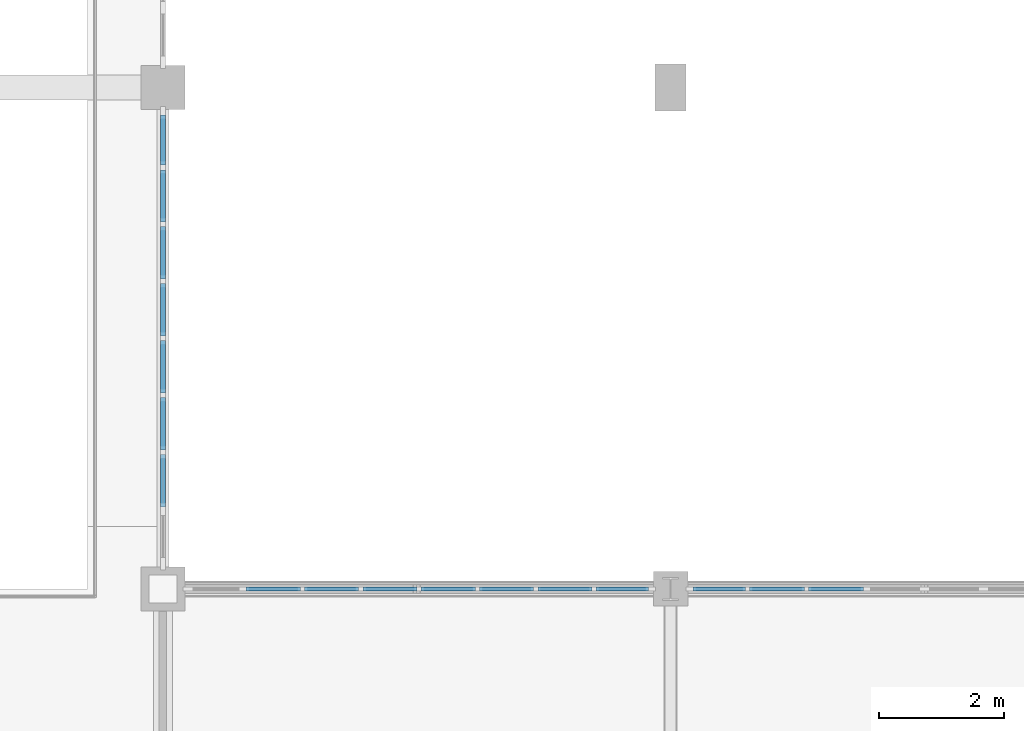
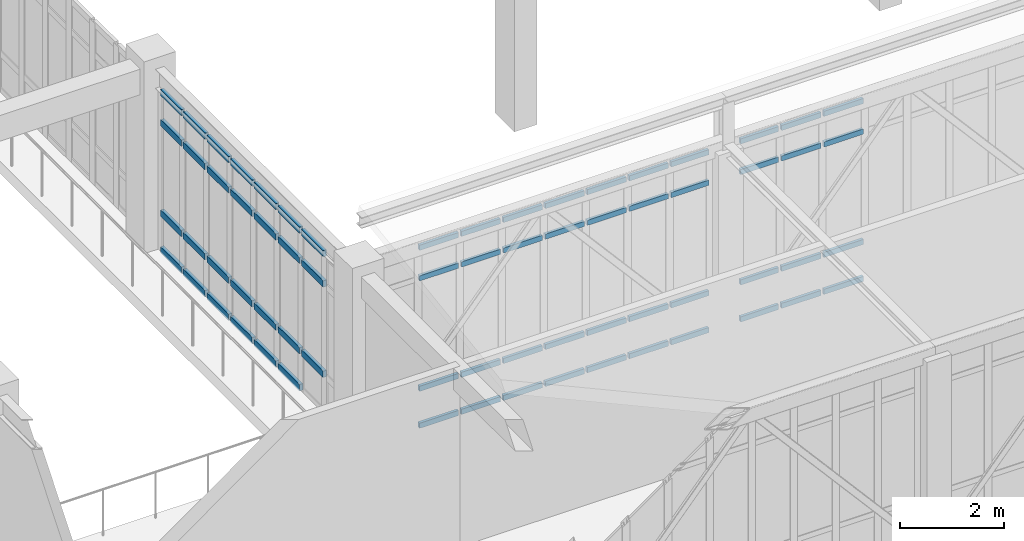
# One storey, part 25 of 67: 67 members, 3 elements without a shape of their own.
"""IFC4 building model written with IfcOpenShell, lengths in metres."""

from ifc_helpers import new_model, si_unit, direction, frame, origin, origin_2d, place, context, subcontext, project, spatial, rectangle, extrude, material, material_profile, profile_set, type_object, element, aggregate, save


model = new_model("IFC4")

# Units and contexts
model_context = context("Model", 3, precision=1e-05, world=origin(), true_north=direction((0.0, 1.0)))
body_context = subcontext(model_context, "Body", "Model", "MODEL_VIEW")
ifc_project = project(units=[si_unit("LENGTHUNIT", "METRE"), si_unit("AREAUNIT", "SQUARE_METRE"), si_unit("VOLUMEUNIT", "CUBIC_METRE"), si_unit("PLANEANGLEUNIT", "RADIAN"), si_unit("MASSUNIT", "GRAM", prefix="KILO")], contexts=[model_context])

# Site, building, storey
site_placement = place(None, origin())
site = spatial("IfcSite", under=ifc_project, at=site_placement, CompositionType="ELEMENT")
building_placement = place(site_placement, origin())
building = spatial("IfcBuilding", under=site, at=building_placement, Name="Tarnveldt Square Police Headquarters", CompositionType="ELEMENT")
storey_placement = place(building_placement, frame((0.0, 0.0, 10.199951171875)))
storey = spatial("IfcBuildingStorey", under=building, at=storey_placement, Name="L02", CompositionType="ELEMENT", Elevation=10.199951171875)

# Curtain wall, members
ifc_material_1 = material(Name="Triple-glazed low-e laminated vision glass", Category="glass")
curtain_wall_type_1 = type_object("IfcCurtainWallType", Name="CW-SB-744x424", PredefinedType="USERDEFINED", material=ifc_material_1)
curtain_wall_1_placement = place(storey_placement, origin())
curtain_wall_1 = element("IfcCurtainWall", 1, at=curtain_wall_1_placement, inside=storey, type_object=curtain_wall_type_1, Name="L02 Curtain Wall CW-L02-145", ObjectType="GLAZED CURTAIN WALL", PredefinedType="USERDEFINED")
ifc_material_2 = material(Name="Thermally broken anodised aluminium 6063-T6", Category="aluminium")
ifc_material_profile_1 = material_profile(ifc_material_2, rectangle(XDim=0.06494140625, YDim=0.1201171875, at=origin_2d()), Name="CW-T65x120")
ifc_profile_set_1 = profile_set([ifc_material_profile_1], Name="Thermally broken anodised aluminium 6063-T6")
member_type_1 = type_object("IfcMemberType", Name="CWT-65x120", PredefinedType="USERDEFINED", material=ifc_profile_set_1)
member_1_placement = place(storey_placement, frame((49.92822265625, 64.0, 0.032470703125), z_axis=(1.0, 0.0, 0.0), x_axis=(0.0, 1.0, 0.0)))
member_1 = element("IfcMember", 2, at=member_1_placement, type_object=member_type_1, Name="CW-SB85 transom 2.1", ObjectType="TRANSOM", PredefinedType="USERDEFINED", context=body_context, shape_type="SweptSolid", body=[
    extrude(rectangle(XDim=0.06494140625, YDim=0.1201171875, at=origin_2d()), origin(), (0.0, 0.0, 1.0), 0.865478515625),
])
member_2_placement = place(storey_placement, frame((49.92822265625, 64.0, 0.900146484375), z_axis=(1.0, 0.0, 0.0), x_axis=(0.0, 1.0, 0.0)))
member_2 = element("IfcMember", 3, at=member_2_placement, type_object=member_type_1, Name="CW-SB85 transom 2.2", ObjectType="TRANSOM", PredefinedType="USERDEFINED", context=body_context, shape_type="SweptSolid", body=[
    extrude(rectangle(XDim=0.06494140625, YDim=0.1201171875, at=origin_2d()), origin(), (0.0, 0.0, 1.0), 0.865478515625),
])
member_3_placement = place(storey_placement, frame((49.92822265625, 64.0, 3.489990234375), z_axis=(1.0, 0.0, 0.0), x_axis=(0.0, 1.0, 0.0)))
member_3 = element("IfcMember", 4, at=member_3_placement, type_object=member_type_1, Name="CW-SB85 transom 2.3", ObjectType="TRANSOM", PredefinedType="USERDEFINED", context=body_context, shape_type="SweptSolid", body=[
    extrude(rectangle(XDim=0.06494140625, YDim=0.1201171875, at=origin_2d()), origin(), (0.0, 0.0, 1.0), 0.865478515625),
])
member_4_placement = place(storey_placement, frame((49.92822265625, 64.0, 4.20751953125), z_axis=(1.0, 0.0, 0.0), x_axis=(0.0, 1.0, 0.0)))
member_4 = element("IfcMember", 5, at=member_4_placement, type_object=member_type_1, Name="CW-SB85 transom 2.4", ObjectType="TRANSOM", PredefinedType="USERDEFINED", context=body_context, shape_type="SweptSolid", body=[
    extrude(rectangle(XDim=0.06494140625, YDim=0.1201171875, at=origin_2d()), origin(), (0.0, 0.0, 1.0), 0.865478515625),
])
member_5_placement = place(storey_placement, frame((50.858642578125, 64.0, 0.032470703125), z_axis=(1.0, 0.0, 0.0), x_axis=(0.0, 1.0, 0.0)))
member_5 = element("IfcMember", 6, at=member_5_placement, type_object=member_type_1, Name="CW-SB85 transom 3.1", ObjectType="TRANSOM", PredefinedType="USERDEFINED", context=body_context, shape_type="SweptSolid", body=[
    extrude(rectangle(XDim=0.06494140625, YDim=0.1201171875, at=origin_2d()), origin(), (0.0, 0.0, 1.0), 0.86572265625),
])
member_6_placement = place(storey_placement, frame((50.858642578125, 64.0, 0.900146484375), z_axis=(1.0, 0.0, 0.0), x_axis=(0.0, 1.0, 0.0)))
member_6 = element("IfcMember", 7, at=member_6_placement, type_object=member_type_1, Name="CW-SB85 transom 3.2", ObjectType="TRANSOM", PredefinedType="USERDEFINED", context=body_context, shape_type="SweptSolid", body=[
    extrude(rectangle(XDim=0.06494140625, YDim=0.1201171875, at=origin_2d()), origin(), (0.0, 0.0, 1.0), 0.86572265625),
])
member_7_placement = place(storey_placement, frame((50.858642578125, 64.0, 3.489990234375), z_axis=(1.0, 0.0, 0.0), x_axis=(0.0, 1.0, 0.0)))
member_7 = element("IfcMember", 8, at=member_7_placement, type_object=member_type_1, Name="CW-SB85 transom 3.3", ObjectType="TRANSOM", PredefinedType="USERDEFINED", context=body_context, shape_type="SweptSolid", body=[
    extrude(rectangle(XDim=0.06494140625, YDim=0.1201171875, at=origin_2d()), origin(), (0.0, 0.0, 1.0), 0.86572265625),
])
member_8_placement = place(storey_placement, frame((50.858642578125, 64.0, 4.20751953125), z_axis=(1.0, 0.0, 0.0), x_axis=(0.0, 1.0, 0.0)))
member_8 = element("IfcMember", 9, at=member_8_placement, type_object=member_type_1, Name="CW-SB85 transom 3.4", ObjectType="TRANSOM", PredefinedType="USERDEFINED", context=body_context, shape_type="SweptSolid", body=[
    extrude(rectangle(XDim=0.06494140625, YDim=0.1201171875, at=origin_2d()), origin(), (0.0, 0.0, 1.0), 0.86572265625),
])
member_9_placement = place(storey_placement, frame((51.789306640625, 64.0, 0.032470703125), z_axis=(1.0, 0.0, 0.0), x_axis=(0.0, 1.0, 0.0)))
member_9 = element("IfcMember", 10, at=member_9_placement, type_object=member_type_1, Name="CW-SB85 transom 4.1", ObjectType="TRANSOM", PredefinedType="USERDEFINED", context=body_context, shape_type="SweptSolid", body=[
    extrude(rectangle(XDim=0.06494140625, YDim=0.1201171875, at=origin_2d()), origin(), (0.0, 0.0, 1.0), 0.86572265625),
])
member_10_placement = place(storey_placement, frame((51.789306640625, 64.0, 0.900146484375), z_axis=(1.0, 0.0, 0.0), x_axis=(0.0, 1.0, 0.0)))
member_10 = element("IfcMember", 11, at=member_10_placement, type_object=member_type_1, Name="CW-SB85 transom 4.2", ObjectType="TRANSOM", PredefinedType="USERDEFINED", context=body_context, shape_type="SweptSolid", body=[
    extrude(rectangle(XDim=0.06494140625, YDim=0.1201171875, at=origin_2d()), origin(), (0.0, 0.0, 1.0), 0.86572265625),
])
member_11_placement = place(storey_placement, frame((51.789306640625, 64.0, 3.489990234375), z_axis=(1.0, 0.0, 0.0), x_axis=(0.0, 1.0, 0.0)))
member_11 = element("IfcMember", 12, at=member_11_placement, type_object=member_type_1, Name="CW-SB85 transom 4.3", ObjectType="TRANSOM", PredefinedType="USERDEFINED", context=body_context, shape_type="SweptSolid", body=[
    extrude(rectangle(XDim=0.06494140625, YDim=0.1201171875, at=origin_2d()), origin(), (0.0, 0.0, 1.0), 0.86572265625),
])
member_12_placement = place(storey_placement, frame((51.789306640625, 64.0, 4.20751953125), z_axis=(1.0, 0.0, 0.0), x_axis=(0.0, 1.0, 0.0)))
member_12 = element("IfcMember", 13, at=member_12_placement, type_object=member_type_1, Name="CW-SB85 transom 4.4", ObjectType="TRANSOM", PredefinedType="USERDEFINED", context=body_context, shape_type="SweptSolid", body=[
    extrude(rectangle(XDim=0.06494140625, YDim=0.1201171875, at=origin_2d()), origin(), (0.0, 0.0, 1.0), 0.86572265625),
])
member_13_placement = place(storey_placement, frame((52.719970703125, 64.0, 0.032470703125), z_axis=(1.0, 0.0, 0.0), x_axis=(0.0, 1.0, 0.0)))
member_13 = element("IfcMember", 14, at=member_13_placement, type_object=member_type_1, Name="CW-SB85 transom 5.1", ObjectType="TRANSOM", PredefinedType="USERDEFINED", context=body_context, shape_type="SweptSolid", body=[
    extrude(rectangle(XDim=0.06494140625, YDim=0.1201171875, at=origin_2d()), origin(), (0.0, 0.0, 1.0), 0.86572265625),
])
member_14_placement = place(storey_placement, frame((52.719970703125, 64.0, 0.900146484375), z_axis=(1.0, 0.0, 0.0), x_axis=(0.0, 1.0, 0.0)))
member_14 = element("IfcMember", 15, at=member_14_placement, type_object=member_type_1, Name="CW-SB85 transom 5.2", ObjectType="TRANSOM", PredefinedType="USERDEFINED", context=body_context, shape_type="SweptSolid", body=[
    extrude(rectangle(XDim=0.06494140625, YDim=0.1201171875, at=origin_2d()), origin(), (0.0, 0.0, 1.0), 0.86572265625),
])
member_15_placement = place(storey_placement, frame((52.719970703125, 64.0, 3.489990234375), z_axis=(1.0, 0.0, 0.0), x_axis=(0.0, 1.0, 0.0)))
member_15 = element("IfcMember", 16, at=member_15_placement, type_object=member_type_1, Name="CW-SB85 transom 5.3", ObjectType="TRANSOM", PredefinedType="USERDEFINED", context=body_context, shape_type="SweptSolid", body=[
    extrude(rectangle(XDim=0.06494140625, YDim=0.1201171875, at=origin_2d()), origin(), (0.0, 0.0, 1.0), 0.86572265625),
])
member_16_placement = place(storey_placement, frame((52.719970703125, 64.0, 4.20751953125), z_axis=(1.0, 0.0, 0.0), x_axis=(0.0, 1.0, 0.0)))
member_16 = element("IfcMember", 17, at=member_16_placement, type_object=member_type_1, Name="CW-SB85 transom 5.4", ObjectType="TRANSOM", PredefinedType="USERDEFINED", context=body_context, shape_type="SweptSolid", body=[
    extrude(rectangle(XDim=0.06494140625, YDim=0.1201171875, at=origin_2d()), origin(), (0.0, 0.0, 1.0), 0.86572265625),
])
member_17_placement = place(storey_placement, frame((53.650634765625, 64.0, 0.032470703125), z_axis=(1.0, 0.0, 0.0), x_axis=(0.0, 1.0, 0.0)))
member_17 = element("IfcMember", 18, at=member_17_placement, type_object=member_type_1, Name="CW-SB85 transom 6.1", ObjectType="TRANSOM", PredefinedType="USERDEFINED", context=body_context, shape_type="SweptSolid", body=[
    extrude(rectangle(XDim=0.06494140625, YDim=0.1201171875, at=origin_2d()), origin(), (0.0, 0.0, 1.0), 0.86572265625),
])
member_18_placement = place(storey_placement, frame((53.650634765625, 64.0, 0.900146484375), z_axis=(1.0, 0.0, 0.0), x_axis=(0.0, 1.0, 0.0)))
member_18 = element("IfcMember", 19, at=member_18_placement, type_object=member_type_1, Name="CW-SB85 transom 6.2", ObjectType="TRANSOM", PredefinedType="USERDEFINED", context=body_context, shape_type="SweptSolid", body=[
    extrude(rectangle(XDim=0.06494140625, YDim=0.1201171875, at=origin_2d()), origin(), (0.0, 0.0, 1.0), 0.86572265625),
])
member_19_placement = place(storey_placement, frame((53.650634765625, 64.0, 3.489990234375), z_axis=(1.0, 0.0, 0.0), x_axis=(0.0, 1.0, 0.0)))
member_19 = element("IfcMember", 20, at=member_19_placement, type_object=member_type_1, Name="CW-SB85 transom 6.3", ObjectType="TRANSOM", PredefinedType="USERDEFINED", context=body_context, shape_type="SweptSolid", body=[
    extrude(rectangle(XDim=0.06494140625, YDim=0.1201171875, at=origin_2d()), origin(), (0.0, 0.0, 1.0), 0.86572265625),
])
member_20_placement = place(storey_placement, frame((53.650634765625, 64.0, 4.20751953125), z_axis=(1.0, 0.0, 0.0), x_axis=(0.0, 1.0, 0.0)))
member_20 = element("IfcMember", 21, at=member_20_placement, type_object=member_type_1, Name="CW-SB85 transom 6.4", ObjectType="TRANSOM", PredefinedType="USERDEFINED", context=body_context, shape_type="SweptSolid", body=[
    extrude(rectangle(XDim=0.06494140625, YDim=0.1201171875, at=origin_2d()), origin(), (0.0, 0.0, 1.0), 0.86572265625),
])
member_21_placement = place(storey_placement, frame((54.581298828125, 64.0, 0.032470703125), z_axis=(1.0, 0.0, 0.0), x_axis=(0.0, 1.0, 0.0)))
member_21 = element("IfcMember", 22, at=member_21_placement, type_object=member_type_1, Name="CW-SB85 transom 7.1", ObjectType="TRANSOM", PredefinedType="USERDEFINED", context=body_context, shape_type="SweptSolid", body=[
    extrude(rectangle(XDim=0.06494140625, YDim=0.1201171875, at=origin_2d()), origin(), (0.0, 0.0, 1.0), 0.865478515625),
])
member_22_placement = place(storey_placement, frame((54.581298828125, 64.0, 0.900146484375), z_axis=(1.0, 0.0, 0.0), x_axis=(0.0, 1.0, 0.0)))
member_22 = element("IfcMember", 23, at=member_22_placement, type_object=member_type_1, Name="CW-SB85 transom 7.2", ObjectType="TRANSOM", PredefinedType="USERDEFINED", context=body_context, shape_type="SweptSolid", body=[
    extrude(rectangle(XDim=0.06494140625, YDim=0.1201171875, at=origin_2d()), origin(), (0.0, 0.0, 1.0), 0.865478515625),
])
member_23_placement = place(storey_placement, frame((54.581298828125, 64.0, 3.489990234375), z_axis=(1.0, 0.0, 0.0), x_axis=(0.0, 1.0, 0.0)))
member_23 = element("IfcMember", 24, at=member_23_placement, type_object=member_type_1, Name="CW-SB85 transom 7.3", ObjectType="TRANSOM", PredefinedType="USERDEFINED", context=body_context, shape_type="SweptSolid", body=[
    extrude(rectangle(XDim=0.06494140625, YDim=0.1201171875, at=origin_2d()), origin(), (0.0, 0.0, 1.0), 0.865478515625),
])
member_24_placement = place(storey_placement, frame((54.581298828125, 64.0, 4.20751953125), z_axis=(1.0, 0.0, 0.0), x_axis=(0.0, 1.0, 0.0)))
member_24 = element("IfcMember", 25, at=member_24_placement, type_object=member_type_1, Name="CW-SB85 transom 7.4", ObjectType="TRANSOM", PredefinedType="USERDEFINED", context=body_context, shape_type="SweptSolid", body=[
    extrude(rectangle(XDim=0.06494140625, YDim=0.1201171875, at=origin_2d()), origin(), (0.0, 0.0, 1.0), 0.865478515625),
])
member_25_placement = place(storey_placement, frame((55.511962890625, 64.0, 0.032470703125), z_axis=(1.0, 0.0, 0.0), x_axis=(0.0, 1.0, 0.0)))
member_25 = element("IfcMember", 26, at=member_25_placement, type_object=member_type_1, Name="CW-SB85 transom 8.1", ObjectType="TRANSOM", PredefinedType="USERDEFINED", context=body_context, shape_type="SweptSolid", body=[
    extrude(rectangle(XDim=0.06494140625, YDim=0.1201171875, at=origin_2d()), origin(), (0.0, 0.0, 1.0), 0.8330078125),
])
member_26_placement = place(storey_placement, frame((55.511962890625, 64.0, 0.900146484375), z_axis=(1.0, 0.0, 0.0), x_axis=(0.0, 1.0, 0.0)))
member_26 = element("IfcMember", 27, at=member_26_placement, type_object=member_type_1, Name="CW-SB85 transom 8.2", ObjectType="TRANSOM", PredefinedType="USERDEFINED", context=body_context, shape_type="SweptSolid", body=[
    extrude(rectangle(XDim=0.06494140625, YDim=0.1201171875, at=origin_2d()), origin(), (0.0, 0.0, 1.0), 0.8330078125),
])
member_27_placement = place(storey_placement, frame((55.511962890625, 64.0, 3.489990234375), z_axis=(1.0, 0.0, 0.0), x_axis=(0.0, 1.0, 0.0)))
member_27 = element("IfcMember", 28, at=member_27_placement, type_object=member_type_1, Name="CW-SB85 transom 8.3", ObjectType="TRANSOM", PredefinedType="USERDEFINED", context=body_context, shape_type="SweptSolid", body=[
    extrude(rectangle(XDim=0.06494140625, YDim=0.1201171875, at=origin_2d()), origin(), (0.0, 0.0, 1.0), 0.8330078125),
])
member_28_placement = place(storey_placement, frame((55.511962890625, 64.0, 4.20751953125), z_axis=(1.0, 0.0, 0.0), x_axis=(0.0, 1.0, 0.0)))
member_28 = element("IfcMember", 29, at=member_28_placement, type_object=member_type_1, Name="CW-SB85 transom 8.4", ObjectType="TRANSOM", PredefinedType="USERDEFINED", context=body_context, shape_type="SweptSolid", body=[
    extrude(rectangle(XDim=0.06494140625, YDim=0.1201171875, at=origin_2d()), origin(), (0.0, 0.0, 1.0), 0.8330078125),
])
aggregate(curtain_wall_1, [member_1, member_2, member_3, member_4, member_5, member_6, member_7, member_8, member_9, member_10, member_11, member_12, member_13, member_14, member_15, member_16, member_17, member_18, member_19, member_20, member_21, member_22, member_23, member_24, member_25, member_26, member_27, member_28])

curtain_wall_type_2 = type_object("IfcCurtainWallType", Name="CW-SB-752x424", PredefinedType="USERDEFINED", material=ifc_material_1)
curtain_wall_2_placement = place(storey_placement, origin())
curtain_wall_2 = element("IfcCurtainWall", 30, at=curtain_wall_2_placement, inside=storey, type_object=curtain_wall_type_2, Name="L02 Curtain Wall CW-L02-146", ObjectType="GLAZED CURTAIN WALL", PredefinedType="USERDEFINED")
member_29_placement = place(storey_placement, frame((57.054931640625, 64.0, 0.032470703125), z_axis=(1.0, 0.0, 0.0), x_axis=(0.0, 1.0, 0.0)))
member_29 = element("IfcMember", 31, at=member_29_placement, type_object=member_type_1, Name="CW-SB86 transom 1.1", ObjectType="TRANSOM", PredefinedType="USERDEFINED", context=body_context, shape_type="SweptSolid", body=[
    extrude(rectangle(XDim=0.06494140625, YDim=0.1201171875, at=origin_2d()), origin(), (0.0, 0.0, 1.0), 0.842529296875),
])
member_30_placement = place(storey_placement, frame((57.054931640625, 64.0, 0.900146484375), z_axis=(1.0, 0.0, 0.0), x_axis=(0.0, 1.0, 0.0)))
member_30 = element("IfcMember", 32, at=member_30_placement, type_object=member_type_1, Name="CW-SB86 transom 1.2", ObjectType="TRANSOM", PredefinedType="USERDEFINED", context=body_context, shape_type="SweptSolid", body=[
    extrude(rectangle(XDim=0.06494140625, YDim=0.1201171875, at=origin_2d()), origin(), (0.0, 0.0, 1.0), 0.842529296875),
])
member_31_placement = place(storey_placement, frame((57.054931640625, 64.0, 3.489990234375), z_axis=(1.0, 0.0, 0.0), x_axis=(0.0, 1.0, 0.0)))
member_31 = element("IfcMember", 33, at=member_31_placement, type_object=member_type_1, Name="CW-SB86 transom 1.3", ObjectType="TRANSOM", PredefinedType="USERDEFINED", context=body_context, shape_type="SweptSolid", body=[
    extrude(rectangle(XDim=0.06494140625, YDim=0.1201171875, at=origin_2d()), origin(), (0.0, 0.0, 1.0), 0.842529296875),
])
member_32_placement = place(storey_placement, frame((57.054931640625, 64.0, 4.20751953125), z_axis=(1.0, 0.0, 0.0), x_axis=(0.0, 1.0, 0.0)))
member_32 = element("IfcMember", 34, at=member_32_placement, type_object=member_type_1, Name="CW-SB86 transom 1.4", ObjectType="TRANSOM", PredefinedType="USERDEFINED", context=body_context, shape_type="SweptSolid", body=[
    extrude(rectangle(XDim=0.06494140625, YDim=0.1201171875, at=origin_2d()), origin(), (0.0, 0.0, 1.0), 0.842529296875),
])
member_33_placement = place(storey_placement, frame((57.96240234375, 64.0, 0.032470703125), z_axis=(1.0, 0.0, 0.0), x_axis=(0.0, 1.0, 0.0)))
member_33 = element("IfcMember", 35, at=member_33_placement, type_object=member_type_1, Name="CW-SB86 transom 2.1", ObjectType="TRANSOM", PredefinedType="USERDEFINED", context=body_context, shape_type="SweptSolid", body=[
    extrude(rectangle(XDim=0.06494140625, YDim=0.1201171875, at=origin_2d()), origin(), (0.0, 0.0, 1.0), 0.875),
])
member_34_placement = place(storey_placement, frame((57.96240234375, 64.0, 0.900146484375), z_axis=(1.0, 0.0, 0.0), x_axis=(0.0, 1.0, 0.0)))
member_34 = element("IfcMember", 36, at=member_34_placement, type_object=member_type_1, Name="CW-SB86 transom 2.2", ObjectType="TRANSOM", PredefinedType="USERDEFINED", context=body_context, shape_type="SweptSolid", body=[
    extrude(rectangle(XDim=0.06494140625, YDim=0.1201171875, at=origin_2d()), origin(), (0.0, 0.0, 1.0), 0.875),
])
member_35_placement = place(storey_placement, frame((57.96240234375, 64.0, 3.489990234375), z_axis=(1.0, 0.0, 0.0), x_axis=(0.0, 1.0, 0.0)))
member_35 = element("IfcMember", 37, at=member_35_placement, type_object=member_type_1, Name="CW-SB86 transom 2.3", ObjectType="TRANSOM", PredefinedType="USERDEFINED", context=body_context, shape_type="SweptSolid", body=[
    extrude(rectangle(XDim=0.06494140625, YDim=0.1201171875, at=origin_2d()), origin(), (0.0, 0.0, 1.0), 0.875),
])
member_36_placement = place(storey_placement, frame((57.96240234375, 64.0, 4.20751953125), z_axis=(1.0, 0.0, 0.0), x_axis=(0.0, 1.0, 0.0)))
member_36 = element("IfcMember", 38, at=member_36_placement, type_object=member_type_1, Name="CW-SB86 transom 2.4", ObjectType="TRANSOM", PredefinedType="USERDEFINED", context=body_context, shape_type="SweptSolid", body=[
    extrude(rectangle(XDim=0.06494140625, YDim=0.1201171875, at=origin_2d()), origin(), (0.0, 0.0, 1.0), 0.875),
])
member_37_placement = place(storey_placement, frame((58.902587890625, 64.0, 0.032470703125), z_axis=(1.0, 0.0, 0.0), x_axis=(0.0, 1.0, 0.0)))
member_37 = element("IfcMember", 39, at=member_37_placement, type_object=member_type_1, Name="CW-SB86 transom 3.1", ObjectType="TRANSOM", PredefinedType="USERDEFINED", context=body_context, shape_type="SweptSolid", body=[
    extrude(rectangle(XDim=0.06494140625, YDim=0.1201171875, at=origin_2d()), origin(), (0.0, 0.0, 1.0), 0.875),
])
member_38_placement = place(storey_placement, frame((58.902587890625, 64.0, 0.900146484375), z_axis=(1.0, 0.0, 0.0), x_axis=(0.0, 1.0, 0.0)))
member_38 = element("IfcMember", 40, at=member_38_placement, type_object=member_type_1, Name="CW-SB86 transom 3.2", ObjectType="TRANSOM", PredefinedType="USERDEFINED", context=body_context, shape_type="SweptSolid", body=[
    extrude(rectangle(XDim=0.06494140625, YDim=0.1201171875, at=origin_2d()), origin(), (0.0, 0.0, 1.0), 0.875),
])
member_39_placement = place(storey_placement, frame((58.902587890625, 64.0, 3.489990234375), z_axis=(1.0, 0.0, 0.0), x_axis=(0.0, 1.0, 0.0)))
member_39 = element("IfcMember", 41, at=member_39_placement, type_object=member_type_1, Name="CW-SB86 transom 3.3", ObjectType="TRANSOM", PredefinedType="USERDEFINED", context=body_context, shape_type="SweptSolid", body=[
    extrude(rectangle(XDim=0.06494140625, YDim=0.1201171875, at=origin_2d()), origin(), (0.0, 0.0, 1.0), 0.875),
])
member_40_placement = place(storey_placement, frame((58.902587890625, 64.0, 4.20751953125), z_axis=(1.0, 0.0, 0.0), x_axis=(0.0, 1.0, 0.0)))
member_40 = element("IfcMember", 42, at=member_40_placement, type_object=member_type_1, Name="CW-SB86 transom 3.4", ObjectType="TRANSOM", PredefinedType="USERDEFINED", context=body_context, shape_type="SweptSolid", body=[
    extrude(rectangle(XDim=0.06494140625, YDim=0.1201171875, at=origin_2d()), origin(), (0.0, 0.0, 1.0), 0.875),
])
aggregate(curtain_wall_2, [member_29, member_30, member_31, member_32, member_33, member_34, member_35, member_36, member_37, member_38, member_39, member_40])

curtain_wall_type_3 = type_object("IfcCurtainWallType", Name="CW-WG-727x377", PredefinedType="USERDEFINED", material=ifc_material_1)
curtain_wall_3_placement = place(storey_placement, origin())
curtain_wall_3 = element("IfcCurtainWall", 43, at=curtain_wall_3_placement, inside=storey, type_object=curtain_wall_type_3, Name="L02 Curtain Wall CW-L02-074", ObjectType="GLAZED CURTAIN WALL", PredefinedType="USERDEFINED")
ifc_material_profile_2 = material_profile(ifc_material_2, rectangle(XDim=0.074951171875, YDim=0.14990234375, at=origin_2d()), Name="CW-T75x150")
ifc_profile_set_2 = profile_set([ifc_material_profile_2], Name="Thermally broken anodised aluminium 6063-T6")
member_type_2 = type_object("IfcMemberType", Name="CWT-75x150", PredefinedType="USERDEFINED", material=ifc_profile_set_2)
member_41_placement = place(storey_placement, frame((48.60009765625, 65.311279296875, 0.900146484375), z_axis=(0.0, 1.0, 0.0), x_axis=(-1.0, 0.0, 0.0)))
member_41 = element("IfcMember", 44, at=member_41_placement, type_object=member_type_2, Name="CW-WG34 transom 2.2", ObjectType="TRANSOM", PredefinedType="USERDEFINED", context=body_context, shape_type="SweptSolid", body=[
    extrude(rectangle(XDim=0.074951171875, YDim=0.14990234375, at=origin_2d()), origin(), (0.0, 0.0, 1.0), 0.833740234375),
])
member_42_placement = place(storey_placement, frame((48.60009765625, 65.311279296875, 3.01904296875), z_axis=(0.0, 1.0, 0.0), x_axis=(-1.0, 0.0, 0.0)))
member_42 = element("IfcMember", 45, at=member_42_placement, type_object=member_type_2, Name="CW-WG34 transom 2.3", ObjectType="TRANSOM", PredefinedType="USERDEFINED", context=body_context, shape_type="SweptSolid", body=[
    extrude(rectangle(XDim=0.074951171875, YDim=0.14990234375, at=origin_2d()), origin(), (0.0, 0.0, 1.0), 0.833740234375),
])
member_43_placement = place(storey_placement, frame((48.60009765625, 65.311279296875, 3.7314453125), z_axis=(0.0, 1.0, 0.0), x_axis=(-1.0, 0.0, 0.0)))
member_43 = element("IfcMember", 46, at=member_43_placement, type_object=member_type_2, Name="CW-WG34 transom 2.4", ObjectType="TRANSOM", PredefinedType="USERDEFINED", context=body_context, shape_type="SweptSolid", body=[
    extrude(rectangle(XDim=0.074951171875, YDim=0.14990234375, at=origin_2d()), origin(), (0.0, 0.0, 1.0), 0.833740234375),
])
member_44_placement = place(storey_placement, frame((48.60009765625, 66.219970703125, 0.03759765625), z_axis=(0.0, 1.0, 0.0), x_axis=(-1.0, 0.0, 0.0)))
member_44 = element("IfcMember", 47, at=member_44_placement, type_object=member_type_2, Name="CW-WG34 transom 3.1", ObjectType="TRANSOM", PredefinedType="USERDEFINED", context=body_context, shape_type="SweptSolid", body=[
    extrude(rectangle(XDim=0.074951171875, YDim=0.14990234375, at=origin_2d()), origin(), (0.0, 0.0, 1.0), 0.833740234375),
])
member_45_placement = place(storey_placement, frame((48.60009765625, 66.219970703125, 0.900146484375), z_axis=(0.0, 1.0, 0.0), x_axis=(-1.0, 0.0, 0.0)))
member_45 = element("IfcMember", 48, at=member_45_placement, type_object=member_type_2, Name="CW-WG34 transom 3.2", ObjectType="TRANSOM", PredefinedType="USERDEFINED", context=body_context, shape_type="SweptSolid", body=[
    extrude(rectangle(XDim=0.074951171875, YDim=0.14990234375, at=origin_2d()), origin(), (0.0, 0.0, 1.0), 0.833740234375),
])
member_46_placement = place(storey_placement, frame((48.60009765625, 66.219970703125, 3.01904296875), z_axis=(0.0, 1.0, 0.0), x_axis=(-1.0, 0.0, 0.0)))
member_46 = element("IfcMember", 49, at=member_46_placement, type_object=member_type_2, Name="CW-WG34 transom 3.3", ObjectType="TRANSOM", PredefinedType="USERDEFINED", context=body_context, shape_type="SweptSolid", body=[
    extrude(rectangle(XDim=0.074951171875, YDim=0.14990234375, at=origin_2d()), origin(), (0.0, 0.0, 1.0), 0.833740234375),
])
member_47_placement = place(storey_placement, frame((48.60009765625, 66.219970703125, 3.7314453125), z_axis=(0.0, 1.0, 0.0), x_axis=(-1.0, 0.0, 0.0)))
member_47 = element("IfcMember", 50, at=member_47_placement, type_object=member_type_2, Name="CW-WG34 transom 3.4", ObjectType="TRANSOM", PredefinedType="USERDEFINED", context=body_context, shape_type="SweptSolid", body=[
    extrude(rectangle(XDim=0.074951171875, YDim=0.14990234375, at=origin_2d()), origin(), (0.0, 0.0, 1.0), 0.833740234375),
])
member_48_placement = place(storey_placement, frame((48.60009765625, 67.128662109375, 0.03759765625), z_axis=(0.0, 1.0, 0.0), x_axis=(-1.0, 0.0, 0.0)))
member_48 = element("IfcMember", 51, at=member_48_placement, type_object=member_type_2, Name="CW-WG34 transom 4.1", ObjectType="TRANSOM", PredefinedType="USERDEFINED", context=body_context, shape_type="SweptSolid", body=[
    extrude(rectangle(XDim=0.074951171875, YDim=0.14990234375, at=origin_2d()), origin(), (0.0, 0.0, 1.0), 0.833740234375),
])
member_49_placement = place(storey_placement, frame((48.60009765625, 67.128662109375, 0.900146484375), z_axis=(0.0, 1.0, 0.0), x_axis=(-1.0, 0.0, 0.0)))
member_49 = element("IfcMember", 52, at=member_49_placement, type_object=member_type_2, Name="CW-WG34 transom 4.2", ObjectType="TRANSOM", PredefinedType="USERDEFINED", context=body_context, shape_type="SweptSolid", body=[
    extrude(rectangle(XDim=0.074951171875, YDim=0.14990234375, at=origin_2d()), origin(), (0.0, 0.0, 1.0), 0.833740234375),
])
member_50_placement = place(storey_placement, frame((48.60009765625, 67.128662109375, 3.01904296875), z_axis=(0.0, 1.0, 0.0), x_axis=(-1.0, 0.0, 0.0)))
member_50 = element("IfcMember", 53, at=member_50_placement, type_object=member_type_2, Name="CW-WG34 transom 4.3", ObjectType="TRANSOM", PredefinedType="USERDEFINED", context=body_context, shape_type="SweptSolid", body=[
    extrude(rectangle(XDim=0.074951171875, YDim=0.14990234375, at=origin_2d()), origin(), (0.0, 0.0, 1.0), 0.833740234375),
])
member_51_placement = place(storey_placement, frame((48.60009765625, 67.128662109375, 3.7314453125), z_axis=(0.0, 1.0, 0.0), x_axis=(-1.0, 0.0, 0.0)))
member_51 = element("IfcMember", 54, at=member_51_placement, type_object=member_type_2, Name="CW-WG34 transom 4.4", ObjectType="TRANSOM", PredefinedType="USERDEFINED", context=body_context, shape_type="SweptSolid", body=[
    extrude(rectangle(XDim=0.074951171875, YDim=0.14990234375, at=origin_2d()), origin(), (0.0, 0.0, 1.0), 0.833740234375),
])
member_52_placement = place(storey_placement, frame((48.60009765625, 68.03759765625, 0.03759765625), z_axis=(0.0, 1.0, 0.0), x_axis=(-1.0, 0.0, 0.0)))
member_52 = element("IfcMember", 55, at=member_52_placement, type_object=member_type_2, Name="CW-WG34 transom 5.1", ObjectType="TRANSOM", PredefinedType="USERDEFINED", context=body_context, shape_type="SweptSolid", body=[
    extrude(rectangle(XDim=0.074951171875, YDim=0.14990234375, at=origin_2d()), origin(), (0.0, 0.0, 1.0), 0.833740234375),
])
member_53_placement = place(storey_placement, frame((48.60009765625, 68.03759765625, 0.900146484375), z_axis=(0.0, 1.0, 0.0), x_axis=(-1.0, 0.0, 0.0)))
member_53 = element("IfcMember", 56, at=member_53_placement, type_object=member_type_2, Name="CW-WG34 transom 5.2", ObjectType="TRANSOM", PredefinedType="USERDEFINED", context=body_context, shape_type="SweptSolid", body=[
    extrude(rectangle(XDim=0.074951171875, YDim=0.14990234375, at=origin_2d()), origin(), (0.0, 0.0, 1.0), 0.833740234375),
])
member_54_placement = place(storey_placement, frame((48.60009765625, 68.03759765625, 3.01904296875), z_axis=(0.0, 1.0, 0.0), x_axis=(-1.0, 0.0, 0.0)))
member_54 = element("IfcMember", 57, at=member_54_placement, type_object=member_type_2, Name="CW-WG34 transom 5.3", ObjectType="TRANSOM", PredefinedType="USERDEFINED", context=body_context, shape_type="SweptSolid", body=[
    extrude(rectangle(XDim=0.074951171875, YDim=0.14990234375, at=origin_2d()), origin(), (0.0, 0.0, 1.0), 0.833740234375),
])
member_55_placement = place(storey_placement, frame((48.60009765625, 68.03759765625, 3.7314453125), z_axis=(0.0, 1.0, 0.0), x_axis=(-1.0, 0.0, 0.0)))
member_55 = element("IfcMember", 58, at=member_55_placement, type_object=member_type_2, Name="CW-WG34 transom 5.4", ObjectType="TRANSOM", PredefinedType="USERDEFINED", context=body_context, shape_type="SweptSolid", body=[
    extrude(rectangle(XDim=0.074951171875, YDim=0.14990234375, at=origin_2d()), origin(), (0.0, 0.0, 1.0), 0.833740234375),
])
member_56_placement = place(storey_placement, frame((48.60009765625, 68.9462890625, 0.03759765625), z_axis=(0.0, 1.0, 0.0), x_axis=(-1.0, 0.0, 0.0)))
member_56 = element("IfcMember", 59, at=member_56_placement, type_object=member_type_2, Name="CW-WG34 transom 6.1", ObjectType="TRANSOM", PredefinedType="USERDEFINED", context=body_context, shape_type="SweptSolid", body=[
    extrude(rectangle(XDim=0.074951171875, YDim=0.14990234375, at=origin_2d()), origin(), (0.0, 0.0, 1.0), 0.833740234375),
])
member_57_placement = place(storey_placement, frame((48.60009765625, 68.9462890625, 0.900146484375), z_axis=(0.0, 1.0, 0.0), x_axis=(-1.0, 0.0, 0.0)))
member_57 = element("IfcMember", 60, at=member_57_placement, type_object=member_type_2, Name="CW-WG34 transom 6.2", ObjectType="TRANSOM", PredefinedType="USERDEFINED", context=body_context, shape_type="SweptSolid", body=[
    extrude(rectangle(XDim=0.074951171875, YDim=0.14990234375, at=origin_2d()), origin(), (0.0, 0.0, 1.0), 0.833740234375),
])
member_58_placement = place(storey_placement, frame((48.60009765625, 68.9462890625, 3.01904296875), z_axis=(0.0, 1.0, 0.0), x_axis=(-1.0, 0.0, 0.0)))
member_58 = element("IfcMember", 61, at=member_58_placement, type_object=member_type_2, Name="CW-WG34 transom 6.3", ObjectType="TRANSOM", PredefinedType="USERDEFINED", context=body_context, shape_type="SweptSolid", body=[
    extrude(rectangle(XDim=0.074951171875, YDim=0.14990234375, at=origin_2d()), origin(), (0.0, 0.0, 1.0), 0.833740234375),
])
member_59_placement = place(storey_placement, frame((48.60009765625, 68.9462890625, 3.7314453125), z_axis=(0.0, 1.0, 0.0), x_axis=(-1.0, 0.0, 0.0)))
member_59 = element("IfcMember", 62, at=member_59_placement, type_object=member_type_2, Name="CW-WG34 transom 6.4", ObjectType="TRANSOM", PredefinedType="USERDEFINED", context=body_context, shape_type="SweptSolid", body=[
    extrude(rectangle(XDim=0.074951171875, YDim=0.14990234375, at=origin_2d()), origin(), (0.0, 0.0, 1.0), 0.833740234375),
])
member_60_placement = place(storey_placement, frame((48.60009765625, 69.85498046875, 0.03759765625), z_axis=(0.0, 1.0, 0.0), x_axis=(-1.0, 0.0, 0.0)))
member_60 = element("IfcMember", 63, at=member_60_placement, type_object=member_type_2, Name="CW-WG34 transom 7.1", ObjectType="TRANSOM", PredefinedType="USERDEFINED", context=body_context, shape_type="SweptSolid", body=[
    extrude(rectangle(XDim=0.074951171875, YDim=0.14990234375, at=origin_2d()), origin(), (0.0, 0.0, 1.0), 0.833740234375),
])
member_61_placement = place(storey_placement, frame((48.60009765625, 69.85498046875, 0.900146484375), z_axis=(0.0, 1.0, 0.0), x_axis=(-1.0, 0.0, 0.0)))
member_61 = element("IfcMember", 64, at=member_61_placement, type_object=member_type_2, Name="CW-WG34 transom 7.2", ObjectType="TRANSOM", PredefinedType="USERDEFINED", context=body_context, shape_type="SweptSolid", body=[
    extrude(rectangle(XDim=0.074951171875, YDim=0.14990234375, at=origin_2d()), origin(), (0.0, 0.0, 1.0), 0.833740234375),
])
member_62_placement = place(storey_placement, frame((48.60009765625, 69.85498046875, 3.01904296875), z_axis=(0.0, 1.0, 0.0), x_axis=(-1.0, 0.0, 0.0)))
member_62 = element("IfcMember", 65, at=member_62_placement, type_object=member_type_2, Name="CW-WG34 transom 7.3", ObjectType="TRANSOM", PredefinedType="USERDEFINED", context=body_context, shape_type="SweptSolid", body=[
    extrude(rectangle(XDim=0.074951171875, YDim=0.14990234375, at=origin_2d()), origin(), (0.0, 0.0, 1.0), 0.833740234375),
])
member_63_placement = place(storey_placement, frame((48.60009765625, 69.85498046875, 3.7314453125), z_axis=(0.0, 1.0, 0.0), x_axis=(-1.0, 0.0, 0.0)))
member_63 = element("IfcMember", 66, at=member_63_placement, type_object=member_type_2, Name="CW-WG34 transom 7.4", ObjectType="TRANSOM", PredefinedType="USERDEFINED", context=body_context, shape_type="SweptSolid", body=[
    extrude(rectangle(XDim=0.074951171875, YDim=0.14990234375, at=origin_2d()), origin(), (0.0, 0.0, 1.0), 0.833740234375),
])
member_64_placement = place(storey_placement, frame((48.60009765625, 70.763671875, 0.03759765625), z_axis=(0.0, 1.0, 0.0), x_axis=(-1.0, 0.0, 0.0)))
member_64 = element("IfcMember", 67, at=member_64_placement, type_object=member_type_2, Name="CW-WG34 transom 8.1", ObjectType="TRANSOM", PredefinedType="USERDEFINED", context=body_context, shape_type="SweptSolid", body=[
    extrude(rectangle(XDim=0.074951171875, YDim=0.14990234375, at=origin_2d()), origin(), (0.0, 0.0, 1.0), 0.79638671875),
])
member_65_placement = place(storey_placement, frame((48.60009765625, 70.763671875, 0.900146484375), z_axis=(0.0, 1.0, 0.0), x_axis=(-1.0, 0.0, 0.0)))
member_65 = element("IfcMember", 68, at=member_65_placement, type_object=member_type_2, Name="CW-WG34 transom 8.2", ObjectType="TRANSOM", PredefinedType="USERDEFINED", context=body_context, shape_type="SweptSolid", body=[
    extrude(rectangle(XDim=0.074951171875, YDim=0.14990234375, at=origin_2d()), origin(), (0.0, 0.0, 1.0), 0.79638671875),
])
member_66_placement = place(storey_placement, frame((48.60009765625, 70.763671875, 3.01904296875), z_axis=(0.0, 1.0, 0.0), x_axis=(-1.0, 0.0, 0.0)))
member_66 = element("IfcMember", 69, at=member_66_placement, type_object=member_type_2, Name="CW-WG34 transom 8.3", ObjectType="TRANSOM", PredefinedType="USERDEFINED", context=body_context, shape_type="SweptSolid", body=[
    extrude(rectangle(XDim=0.074951171875, YDim=0.14990234375, at=origin_2d()), origin(), (0.0, 0.0, 1.0), 0.79638671875),
])
member_67_placement = place(storey_placement, frame((48.60009765625, 70.763671875, 3.7314453125), z_axis=(0.0, 1.0, 0.0), x_axis=(-1.0, 0.0, 0.0)))
member_67 = element("IfcMember", 70, at=member_67_placement, type_object=member_type_2, Name="CW-WG34 transom 8.4", ObjectType="TRANSOM", PredefinedType="USERDEFINED", context=body_context, shape_type="SweptSolid", body=[
    extrude(rectangle(XDim=0.074951171875, YDim=0.14990234375, at=origin_2d()), origin(), (0.0, 0.0, 1.0), 0.79638671875),
])
aggregate(curtain_wall_3, [member_41, member_42, member_43, member_44, member_45, member_46, member_47, member_48, member_49, member_50, member_51, member_52, member_53, member_54, member_55, member_56, member_57, member_58, member_59, member_60, member_61, member_62, member_63, member_64, member_65, member_66, member_67])

save(model, "model.ifc")
